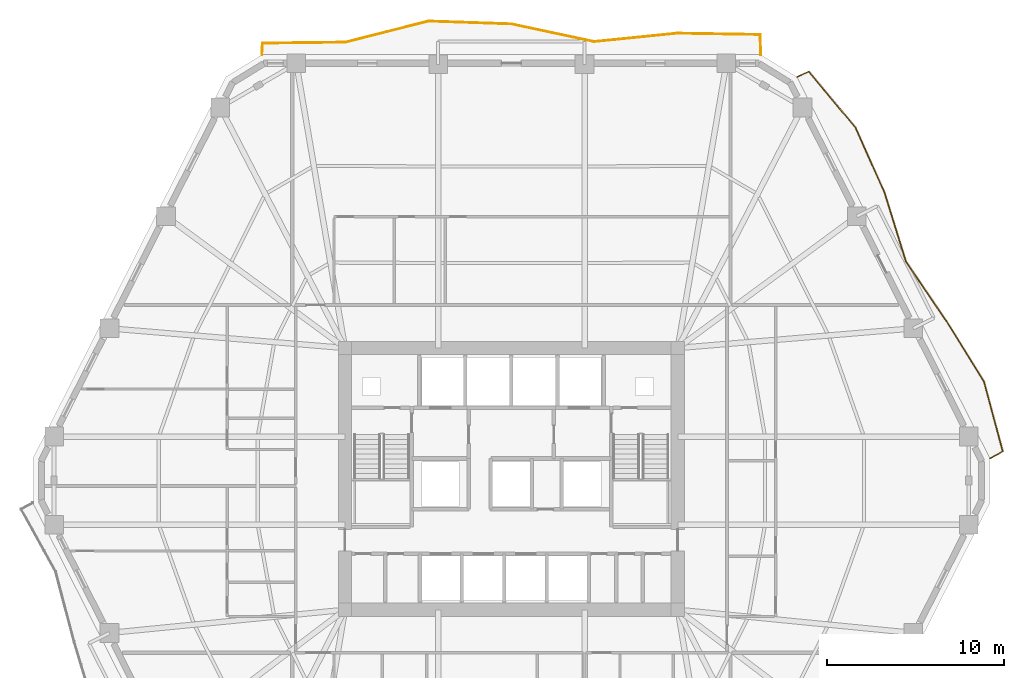
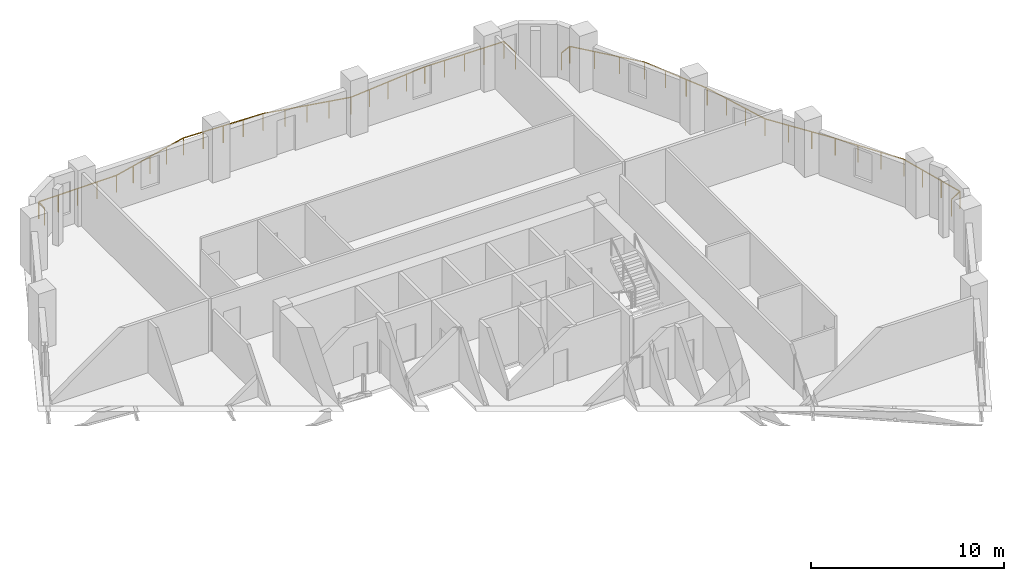
# One storey, part 11 of 11: 2 railings.
"""IFC4 building model written with IfcOpenShell, lengths in metres."""

from ifc_helpers import new_model, si_unit, direction, frame, origin, origin_2d, place, context, subcontext, project, spatial, rectangle, extrude, material, type_object, element, save


model = new_model("IFC4")

# Units and contexts
model_context = context("Model", 3, precision=1e-05, world=origin(), true_north=direction((0.0, 1.0)))
body_context = subcontext(model_context, "Body", "Model", "MODEL_VIEW")
ifc_project = project(units=[si_unit("LENGTHUNIT", "METRE"), si_unit("AREAUNIT", "SQUARE_METRE"), si_unit("VOLUMEUNIT", "CUBIC_METRE"), si_unit("PLANEANGLEUNIT", "RADIAN"), si_unit("MASSUNIT", "GRAM", prefix="KILO")], contexts=[model_context])

# Site, building, storey
site_placement = place(None, origin())
site = spatial("IfcSite", under=ifc_project, at=site_placement, CompositionType="ELEMENT")
building_placement = place(site_placement, origin())
building = spatial("IfcBuilding", under=site, at=building_placement, Name="Cinnabar Lancet Tower", CompositionType="ELEMENT")
storey_placement = place(building_placement, frame((0.0, 0.0, 90.64990234375)))
storey = spatial("IfcBuildingStorey", under=building, at=storey_placement, Name="L23", CompositionType="ELEMENT", Elevation=90.64990234375)

# Railings
ifc_material = material(Name="Laminated safety glass and bronze stainless steel balustrade", Category="steel")
railing_type = type_object("IfcRailingType", Name="ENV-RLG-BAL-1100", PredefinedType="BALUSTRADE", material=ifc_material)
railing_1_placement = place(storey_placement, frame((59.367919921875, 27.049072265625, 0.0)))
element("IfcRailing", 1, at=railing_1_placement, inside=storey, type_object=railing_type, Name="L23 Face 3 Wave Balcony Balustrade", PredefinedType="BALUSTRADE", context=body_context, shape_type="SweptSolid", body=[
    extrude(rectangle(XDim=0.048095703125, YDim=0.048095703125, at=origin_2d()), frame((0.0, 0.0, 1.076171875), z_axis=(0.876209635416, 0.481930155525, 0.0), x_axis=(-0.481930155525, 0.876209635416, 0.0)), (0.0, 0.0, 1.0), 0.82177734375),
    extrude(rectangle(XDim=0.048095703125, YDim=0.048095703125, at=origin_2d()), frame((0.719970703125, 0.39599609375, 1.076171875), z_axis=(-0.260193801864, 0.965556412372, 0.0), x_axis=(-0.965556412372, -0.260193801864, 0.0)), (0.0, 0.0, 1.0), 4.0927734375),
    extrude(rectangle(XDim=0.048095703125, YDim=0.048095703125, at=origin_2d()), frame((-0.344970703125, 4.347900390625, 1.076171875), z_axis=(-0.528426371652, 0.848979133868, 0.0), x_axis=(-0.848979133868, -0.528426371652, 0.0)), (0.0, 0.0, 1.0), 4.021484375),
    extrude(rectangle(XDim=0.048095703125, YDim=0.048095703125, at=origin_2d()), frame((-2.469970703125, 7.761962890625, 1.076171875), z_axis=(-0.561656646096, 0.827370420003, 0.0), x_axis=(-0.827370420003, -0.561656646096, 0.0)), (0.0, 0.0, 1.0), 4.0380859375),
    extrude(rectangle(XDim=0.048095703125, YDim=0.048095703125, at=origin_2d()), frame((-4.738037109375, 11.10302734375, 1.076171875), z_axis=(-0.296631748761, 0.954991940085, 0.0), x_axis=(-0.954991940085, -0.296631748761, 0.0)), (0.0, 0.0, 1.0), 4.061767578125),
    extrude(rectangle(XDim=0.048095703125, YDim=0.048095703125, at=origin_2d()), frame((-5.94287109375, 14.98193359375, 1.076171875), z_axis=(-0.407995101436, 0.912984116622, 0.0), x_axis=(-0.912984116622, -0.407995101436, 0.0)), (0.0, 0.0, 1.0), 4.01220703125),
    extrude(rectangle(XDim=0.048095703125, YDim=0.048095703125, at=origin_2d()), frame((-7.579833984375, 18.64501953125, 1.076171875), z_axis=(-0.640528868375, 0.767934091429, 0.0), x_axis=(-0.767934091429, -0.640528868375, 0.0)), (0.0, 0.0, 1.0), 4.1123046875),
    extrude(rectangle(XDim=0.048095703125, YDim=0.048095703125, at=origin_2d()), frame((-10.2138671875, 21.802978515625, 1.076171875), z_axis=(-0.911245258519, -0.411864150936, 0.0), x_axis=(0.411864150936, -0.911245258519, 0.0)), (0.0, 0.0, 1.0), 0.73095703125),
    extrude(rectangle(XDim=0.0419921875, YDim=0.0419921875, at=origin_2d()), origin(), (0.0, 0.0, 1.0), 1.052001953125),
    extrude(rectangle(XDim=0.0419921875, YDim=0.0419921875, at=origin_2d()), frame((0.719970703125, 0.39599609375, 0.0)), (0.0, 0.0, 1.0), 1.052001953125),
    extrude(rectangle(XDim=0.0419921875, YDim=0.0419921875, at=origin_2d()), frame((0.364990234375, 1.71337890625, 0.0)), (0.0, 0.0, 1.0), 1.052001953125),
    extrude(rectangle(XDim=0.0419921875, YDim=0.0419921875, at=origin_2d()), frame((0.010009765625, 3.030517578125, 0.0)), (0.0, 0.0, 1.0), 1.052001953125),
    extrude(rectangle(XDim=0.0419921875, YDim=0.0419921875, at=origin_2d()), frame((-0.344970703125, 4.347900390625, 0.0)), (0.0, 0.0, 1.0), 1.052001953125),
    extrude(rectangle(XDim=0.0419921875, YDim=0.0419921875, at=origin_2d()), frame((-1.05322265625, 5.48583984375, 0.0)), (0.0, 0.0, 1.0), 1.052001953125),
    extrude(rectangle(XDim=0.0419921875, YDim=0.0419921875, at=origin_2d()), frame((-1.76171875, 6.6240234375, 0.0)), (0.0, 0.0, 1.0), 1.052001953125),
    extrude(rectangle(XDim=0.0419921875, YDim=0.0419921875, at=origin_2d()), frame((-2.469970703125, 7.761962890625, 0.0)), (0.0, 0.0, 1.0), 1.052001953125),
    extrude(rectangle(XDim=0.0419921875, YDim=0.0419921875, at=origin_2d()), frame((-3.22607421875, 8.875732421875, 0.0)), (0.0, 0.0, 1.0), 1.052001953125),
    extrude(rectangle(XDim=0.0419921875, YDim=0.0419921875, at=origin_2d()), frame((-3.98193359375, 9.9892578125, 0.0)), (0.0, 0.0, 1.0), 1.052001953125),
    extrude(rectangle(XDim=0.0419921875, YDim=0.0419921875, at=origin_2d()), frame((-4.738037109375, 11.10302734375, 0.0)), (0.0, 0.0, 1.0), 1.052001953125),
    extrude(rectangle(XDim=0.0419921875, YDim=0.0419921875, at=origin_2d()), frame((-5.1396484375, 12.39599609375, 0.0)), (0.0, 0.0, 1.0), 1.052001953125),
    extrude(rectangle(XDim=0.0419921875, YDim=0.0419921875, at=origin_2d()), frame((-5.541259765625, 13.68896484375, 0.0)), (0.0, 0.0, 1.0), 1.052001953125),
    extrude(rectangle(XDim=0.0419921875, YDim=0.0419921875, at=origin_2d()), frame((-5.94287109375, 14.98193359375, 0.0)), (0.0, 0.0, 1.0), 1.052001953125),
    extrude(rectangle(XDim=0.0419921875, YDim=0.0419921875, at=origin_2d()), frame((-6.488525390625, 16.202880859375, 0.0)), (0.0, 0.0, 1.0), 1.052001953125),
    extrude(rectangle(XDim=0.0419921875, YDim=0.0419921875, at=origin_2d()), frame((-7.0341796875, 17.424072265625, 0.0)), (0.0, 0.0, 1.0), 1.052001953125),
    extrude(rectangle(XDim=0.0419921875, YDim=0.0419921875, at=origin_2d()), frame((-7.579833984375, 18.64501953125, 0.0)), (0.0, 0.0, 1.0), 1.052001953125),
    extrude(rectangle(XDim=0.0419921875, YDim=0.0419921875, at=origin_2d()), frame((-8.457763671875, 19.69775390625, 0.0)), (0.0, 0.0, 1.0), 1.052001953125),
    extrude(rectangle(XDim=0.0419921875, YDim=0.0419921875, at=origin_2d()), frame((-9.3359375, 20.750244140625, 0.0)), (0.0, 0.0, 1.0), 1.052001953125),
    extrude(rectangle(XDim=0.0419921875, YDim=0.0419921875, at=origin_2d()), frame((-10.2138671875, 21.802978515625, 0.0)), (0.0, 0.0, 1.0), 1.052001953125),
    extrude(rectangle(XDim=0.0419921875, YDim=0.0419921875, at=origin_2d()), frame((-10.8798828125, 21.501953125, 0.0)), (0.0, 0.0, 1.0), 1.052001953125),
])
railing_2_placement = place(storey_placement, frame((46.4560546875, 49.800048828125, 0.0)))
element("IfcRailing", 2, at=railing_2_placement, inside=storey, type_object=railing_type, Name="L23 Face 4 Wave Balcony Balustrade", PredefinedType="BALUSTRADE", context=body_context, shape_type="SweptSolid", body=[
    extrude(rectangle(XDim=0.048095703125, YDim=0.048095703125, at=origin_2d()), frame((0.0, 0.0, 1.076171875), z_axis=(-0.029995133036, 0.999550044767, 0.0), x_axis=(-0.999550044767, -0.029995133036, 0.0)), (0.0, 0.0, 1.0), 1.13134765625),
    extrude(rectangle(XDim=0.048095703125, YDim=0.048095703125, at=origin_2d()), frame((-0.033935546875, 1.130859375, 1.076171875), z_axis=(-0.999870671279, 0.016082310656, 0.0), x_axis=(-0.016082310656, -0.999870671279, 0.0)), (0.0, 0.0, 1.0), 4.675537109375),
    extrude(rectangle(XDim=0.048095703125, YDim=0.048095703125, at=origin_2d()), frame((-4.708984375, 1.2060546875, 1.076171875), z_axis=(-0.994938448398, -0.10048623736, 0.0), x_axis=(0.10048623736, -0.994938448398, 0.0)), (0.0, 0.0, 1.0), 4.69873046875),
    extrude(rectangle(XDim=0.048095703125, YDim=0.048095703125, at=origin_2d()), frame((-9.384033203125, 0.73388671875, 1.076171875), z_axis=(-0.978019524265, 0.208513333281, 0.0), x_axis=(-0.208513333281, -0.978019524265, 0.0)), (0.0, 0.0, 1.0), 4.777099609375),
    extrude(rectangle(XDim=0.048095703125, YDim=0.048095703125, at=origin_2d()), frame((-14.05615234375, 1.72998046875, 1.076171875), z_axis=(-0.999422074971, 0.033992882487, 0.0), x_axis=(-0.033992882487, -0.999422074971, 0.0)), (0.0, 0.0, 1.0), 4.675537109375),
    extrude(rectangle(XDim=0.048095703125, YDim=0.048095703125, at=origin_2d()), frame((-18.72900390625, 1.888916015625, 1.076171875), z_axis=(-0.969172834643, -0.246381851177, 0.0), x_axis=(0.246381851177, -0.969172834643, 0.0)), (0.0, 0.0, 1.0), 4.82177734375),
    extrude(rectangle(XDim=0.048095703125, YDim=0.048095703125, at=origin_2d()), frame((-23.402099609375, 0.700927734375, 1.076171875), z_axis=(-0.999933408473, -0.011540304103, 0.0), x_axis=(0.011540304103, -0.999933408473, 0.0)), (0.0, 0.0, 1.0), 4.67529296875),
    extrude(rectangle(XDim=0.048095703125, YDim=0.048095703125, at=origin_2d()), frame((-28.0771484375, 0.64697265625, 1.076171875), z_axis=(-0.053883868263, -0.99854720907, 0.0), x_axis=(0.99854720907, -0.053883868263, 0.0)), (0.0, 0.0, 1.0), 0.64794921875),
    extrude(rectangle(XDim=0.0419921875, YDim=0.0419921875, at=origin_2d()), origin(), (0.0, 0.0, 1.0), 1.052001953125),
    extrude(rectangle(XDim=0.0419921875, YDim=0.0419921875, at=origin_2d()), frame((-0.033935546875, 1.130859375, 0.0)), (0.0, 0.0, 1.0), 1.052001953125),
    extrude(rectangle(XDim=0.0419921875, YDim=0.0419921875, at=origin_2d()), frame((-1.20263671875, 1.149658203125, 0.0)), (0.0, 0.0, 1.0), 1.052001953125),
    extrude(rectangle(XDim=0.0419921875, YDim=0.0419921875, at=origin_2d()), frame((-2.37158203125, 1.16845703125, 0.0)), (0.0, 0.0, 1.0), 1.052001953125),
    extrude(rectangle(XDim=0.0419921875, YDim=0.0419921875, at=origin_2d()), frame((-3.540283203125, 1.187255859375, 0.0)), (0.0, 0.0, 1.0), 1.052001953125),
    extrude(rectangle(XDim=0.0419921875, YDim=0.0419921875, at=origin_2d()), frame((-4.708984375, 1.2060546875, 0.0)), (0.0, 0.0, 1.0), 1.052001953125),
    extrude(rectangle(XDim=0.0419921875, YDim=0.0419921875, at=origin_2d()), frame((-5.877685546875, 1.087890625, 0.0)), (0.0, 0.0, 1.0), 1.052001953125),
    extrude(rectangle(XDim=0.0419921875, YDim=0.0419921875, at=origin_2d()), frame((-7.04638671875, 0.969970703125, 0.0)), (0.0, 0.0, 1.0), 1.052001953125),
    extrude(rectangle(XDim=0.0419921875, YDim=0.0419921875, at=origin_2d()), frame((-8.21533203125, 0.85205078125, 0.0)), (0.0, 0.0, 1.0), 1.052001953125),
    extrude(rectangle(XDim=0.0419921875, YDim=0.0419921875, at=origin_2d()), frame((-9.384033203125, 0.73388671875, 0.0)), (0.0, 0.0, 1.0), 1.052001953125),
    extrude(rectangle(XDim=0.0419921875, YDim=0.0419921875, at=origin_2d()), frame((-10.552001953125, 0.98291015625, 0.0)), (0.0, 0.0, 1.0), 1.052001953125),
    extrude(rectangle(XDim=0.0419921875, YDim=0.0419921875, at=origin_2d()), frame((-11.72021484375, 1.23193359375, 0.0)), (0.0, 0.0, 1.0), 1.052001953125),
    extrude(rectangle(XDim=0.0419921875, YDim=0.0419921875, at=origin_2d()), frame((-12.88818359375, 1.48095703125, 0.0)), (0.0, 0.0, 1.0), 1.052001953125),
    extrude(rectangle(XDim=0.0419921875, YDim=0.0419921875, at=origin_2d()), frame((-14.05615234375, 1.72998046875, 0.0)), (0.0, 0.0, 1.0), 1.052001953125),
    extrude(rectangle(XDim=0.0419921875, YDim=0.0419921875, at=origin_2d()), frame((-15.224365234375, 1.769775390625, 0.0)), (0.0, 0.0, 1.0), 1.052001953125),
    extrude(rectangle(XDim=0.0419921875, YDim=0.0419921875, at=origin_2d()), frame((-16.392578125, 1.8095703125, 0.0)), (0.0, 0.0, 1.0), 1.052001953125),
    extrude(rectangle(XDim=0.0419921875, YDim=0.0419921875, at=origin_2d()), frame((-17.560791015625, 1.84912109375, 0.0)), (0.0, 0.0, 1.0), 1.052001953125),
    extrude(rectangle(XDim=0.0419921875, YDim=0.0419921875, at=origin_2d()), frame((-18.72900390625, 1.888916015625, 0.0)), (0.0, 0.0, 1.0), 1.052001953125),
    extrude(rectangle(XDim=0.0419921875, YDim=0.0419921875, at=origin_2d()), frame((-19.897216796875, 1.591796875, 0.0)), (0.0, 0.0, 1.0), 1.052001953125),
    extrude(rectangle(XDim=0.0419921875, YDim=0.0419921875, at=origin_2d()), frame((-21.0654296875, 1.294921875, 0.0)), (0.0, 0.0, 1.0), 1.052001953125),
    extrude(rectangle(XDim=0.0419921875, YDim=0.0419921875, at=origin_2d()), frame((-22.23388671875, 0.998046875, 0.0)), (0.0, 0.0, 1.0), 1.052001953125),
    extrude(rectangle(XDim=0.0419921875, YDim=0.0419921875, at=origin_2d()), frame((-23.402099609375, 0.700927734375, 0.0)), (0.0, 0.0, 1.0), 1.052001953125),
    extrude(rectangle(XDim=0.0419921875, YDim=0.0419921875, at=origin_2d()), frame((-24.57080078125, 0.6875, 0.0)), (0.0, 0.0, 1.0), 1.052001953125),
    extrude(rectangle(XDim=0.0419921875, YDim=0.0419921875, at=origin_2d()), frame((-25.73974609375, 0.673828125, 0.0)), (0.0, 0.0, 1.0), 1.052001953125),
    extrude(rectangle(XDim=0.0419921875, YDim=0.0419921875, at=origin_2d()), frame((-26.908447265625, 0.660400390625, 0.0)), (0.0, 0.0, 1.0), 1.052001953125),
    extrude(rectangle(XDim=0.0419921875, YDim=0.0419921875, at=origin_2d()), frame((-28.0771484375, 0.64697265625, 0.0)), (0.0, 0.0, 1.0), 1.052001953125),
    extrude(rectangle(XDim=0.0419921875, YDim=0.0419921875, at=origin_2d()), frame((-28.112060546875, 0.0, 0.0)), (0.0, 0.0, 1.0), 1.052001953125),
])

save(model, "model.ifc")
